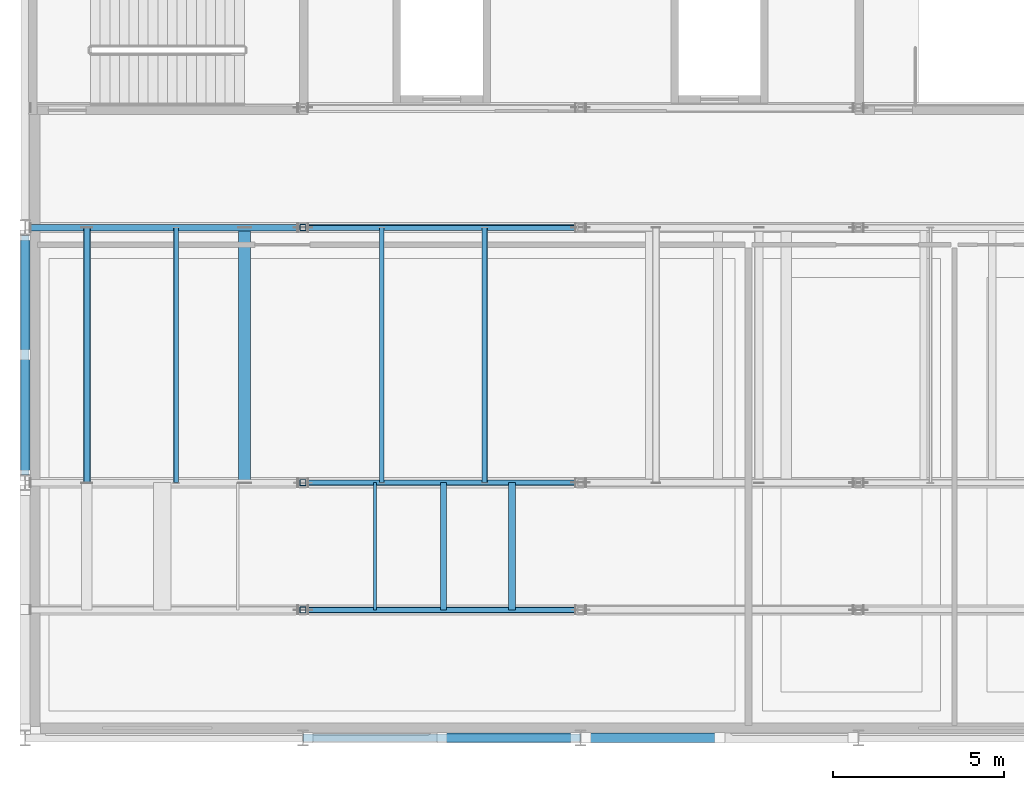
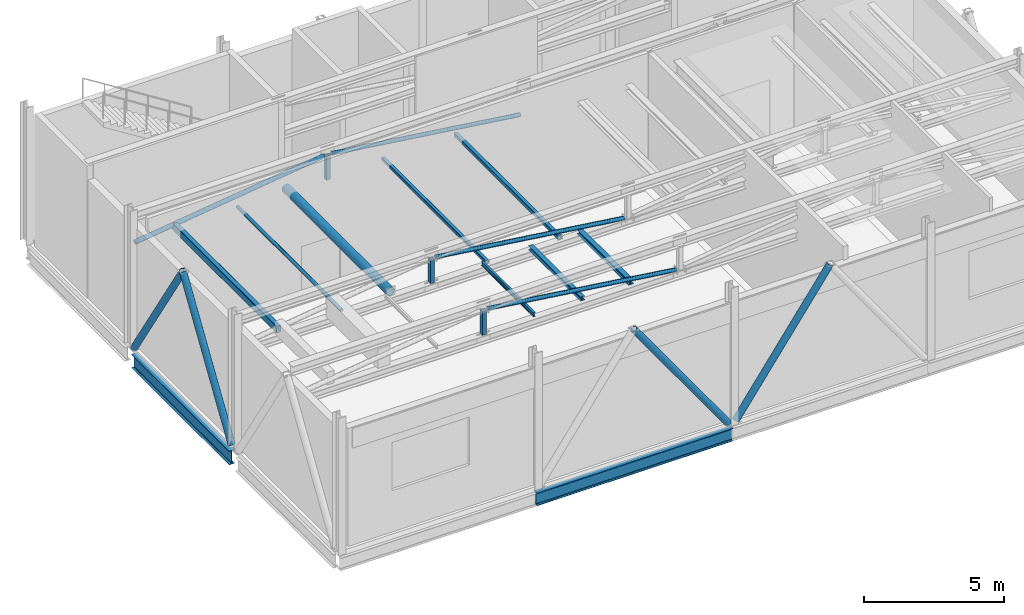
# One storey, part 2 of 21: 16 members, 5 beams.
"""IFC4 building model written with IfcOpenShell, lengths in metres."""

from ifc_helpers import new_model, si_unit, direction, frame, origin, origin_2d, place, context, subcontext, project, spatial, hollow_rectangle, hollow_circle, i_section, extrude, material, material_profile, profile_set, type_object, element, save


model = new_model("IFC4")

# Units and contexts
model_context = context("Model", 3, precision=1e-05, world=origin(), true_north=direction((0.0, 1.0)))
body_context = subcontext(model_context, "Body", "Model", "MODEL_VIEW")
ifc_project = project(units=[si_unit("LENGTHUNIT", "METRE"), si_unit("AREAUNIT", "SQUARE_METRE"), si_unit("VOLUMEUNIT", "CUBIC_METRE"), si_unit("PLANEANGLEUNIT", "RADIAN"), si_unit("MASSUNIT", "GRAM", prefix="KILO")], contexts=[model_context])

# Site, building, storey
site_placement = place(None, origin())
site = spatial("IfcSite", under=ifc_project, at=site_placement, CompositionType="ELEMENT")
building_placement = place(site_placement, origin())
building = spatial("IfcBuilding", under=site, at=building_placement, Name="Kaelora Sail Theatre", CompositionType="ELEMENT")
storey_placement = place(building_placement, frame((0.0, 0.0, 27.60009765625)))
storey = spatial("IfcBuildingStorey", under=building, at=storey_placement, Name="L06", CompositionType="ELEMENT", Elevation=27.60009765625)

# Beams
ifc_material_1 = material(Name="Steel S355", Category="steel")
ifc_material_profile_1 = material_profile(ifc_material_1, i_section(OverallWidth=0.179931640625, OverallDepth=0.1708984375, WebThickness=0.006103515625, FlangeThickness=0.009521484375, FilletRadius=0.014892578125, at=origin_2d()), Name="HEA 180")
ifc_profile_set_1 = profile_set([ifc_material_profile_1], Name="Steel S355")
beam_type_1 = type_object("IfcBeamType", Name="STR-BM-BM-HEA180", PredefinedType="BEAM", material=ifc_profile_set_1)
beam_1_placement = place(storey_placement, frame((38.0, 64.75, 4.515380859375), z_axis=(0.0, 1.0, 0.0), x_axis=(-1.0, 0.0, 0.0)))
element("IfcBeam", 1, at=beam_1_placement, inside=storey, type_object=beam_type_1, Name="Fly Tower rigging grid beam 05", PredefinedType="BEAM", context=body_context, shape_type="SweptSolid", body=[
    extrude(i_section(OverallWidth=0.179931640625, OverallDepth=0.1708984375, WebThickness=0.006103515625, FlangeThickness=0.009521484375, FilletRadius=0.014892578125, at=origin_2d()), origin(), (0.0, 0.0, 1.0), 3.7099609375),
])
ifc_material_2 = material(Name="Steel S355", Category="steel")
ifc_material_profile_2 = material_profile(ifc_material_2, i_section(OverallWidth=0.199951171875, OverallDepth=0.18994140625, WebThickness=0.006591796875, FlangeThickness=0.010009765625, FilletRadius=0.01806640625, at=origin_2d()), Name="HEA 200")
ifc_profile_set_2 = profile_set([ifc_material_profile_2], Name="Steel S355")
beam_type_2 = type_object("IfcBeamType", Name="STR-BM-BM-HEA200", PredefinedType="BEAM", material=ifc_profile_set_2)
beam_2_placement = place(storey_placement, frame((40.0, 64.75, 4.52490234375), z_axis=(0.0, 1.0, 0.0), x_axis=(-1.0, 0.0, 0.0)))
element("IfcBeam", 2, at=beam_2_placement, inside=storey, type_object=beam_type_2, Name="Fly Tower rigging grid beam 06", PredefinedType="BEAM", context=body_context, shape_type="SweptSolid", body=[
    extrude(i_section(OverallWidth=0.199951171875, OverallDepth=0.18994140625, WebThickness=0.006591796875, FlangeThickness=0.010009765625, FilletRadius=0.01806640625, at=origin_2d()), origin(), (0.0, 0.0, 1.0), 3.7099609375),
])
ifc_material_3 = material(Name="Steel S355", Category="steel")
ifc_material_profile_3 = material_profile(ifc_material_3, i_section(OverallWidth=0.2099609375, OverallDepth=0.550048828125, WebThickness=0.010986328125, FlangeThickness=0.01708984375, FilletRadius=0.02392578125, at=origin_2d()), Name="IPE 550")
ifc_profile_set_3 = profile_set([ifc_material_profile_3], Name="Steel S355")
beam_type_3 = type_object("IfcBeamType", Name="STR-BM-BM-IPE550", PredefinedType="USERDEFINED", material=ifc_profile_set_3)
beam_3_placement = place(storey_placement, frame((33.908935546875, 61.02001953125, -0.4951171875), z_axis=(1.0, 0.0, 0.0), x_axis=(0.0, 1.0, 0.0)))
element("IfcBeam", 3, at=beam_3_placement, inside=storey, type_object=beam_type_3, Name="Primary beam I 5-6 (L06)", ObjectType="GIRDER", PredefinedType="USERDEFINED", context=body_context, shape_type="SweptSolid", body=[
    extrude(i_section(OverallWidth=0.2099609375, OverallDepth=0.550048828125, WebThickness=0.010986328125, FlangeThickness=0.01708984375, FilletRadius=0.02392578125, at=origin_2d()), origin(), (0.0, 0.0, 1.0), 8.08203125),
])
ifc_material_4 = material(Name="Steel S355", Category="steel")
ifc_material_profile_4 = material_profile(ifc_material_4, i_section(OverallWidth=0.219970703125, OverallDepth=0.60009765625, WebThickness=0.011962890625, FlangeThickness=0.01904296875, FilletRadius=0.02392578125, at=origin_2d()), Name="IPE 600")
ifc_profile_set_4 = profile_set([ifc_material_profile_4], Name="Steel S355")
beam_type_4 = type_object("IfcBeamType", Name="STR-BM-BM-IPE600", PredefinedType="USERDEFINED", material=ifc_profile_set_4)
beam_4_placement = place(storey_placement, frame((25.800048828125, 68.68505859375, -0.52001953125), z_axis=(0.0, 1.0, 0.0), x_axis=(-1.0, 0.0, 0.0)))
element("IfcBeam", 4, at=beam_4_placement, inside=storey, type_object=beam_type_4, Name="Primary beam 4 J-K (L06)", ObjectType="GIRDER", PredefinedType="USERDEFINED", context=body_context, shape_type="SweptSolid", body=[
    extrude(i_section(OverallWidth=0.219970703125, OverallDepth=0.60009765625, WebThickness=0.011962890625, FlangeThickness=0.01904296875, FilletRadius=0.02392578125, at=origin_2d()), origin(), (0.0, 0.0, 1.0), 6.989990234375),
])
ifc_material_5 = material(Name="Steel S355", Category="steel")
ifc_material_profile_5 = material_profile(ifc_material_5, i_section(OverallWidth=0.091064453125, OverallDepth=0.179931640625, WebThickness=0.00537109375, FlangeThickness=0.008056640625, FilletRadius=0.009033203125, at=origin_2d()), Name="IPE 180")
ifc_profile_set_5 = profile_set([ifc_material_profile_5], Name="Steel S355")
beam_type_5 = type_object("IfcBeamType", Name="STR-BM-JS-IPE180", PredefinedType="JOIST", material=ifc_profile_set_5)
beam_5_placement = place(storey_placement, frame((36.0, 64.75, 4.52001953125), z_axis=(0.0, 1.0, 0.0), x_axis=(-1.0, 0.0, 0.0)))
element("IfcBeam", 5, at=beam_5_placement, inside=storey, type_object=beam_type_5, Name="Fly Tower rigging grid beam 04", PredefinedType="JOIST", context=body_context, shape_type="SweptSolid", body=[
    extrude(i_section(OverallWidth=0.091064453125, OverallDepth=0.179931640625, WebThickness=0.00537109375, FlangeThickness=0.008056640625, FilletRadius=0.009033203125, at=origin_2d()), origin(), (0.0, 0.0, 1.0), 3.7099609375),
])

# Members
ifc_material_6 = material(Name="Steel S355", Category="steel")
ifc_material_profile_6 = material_profile(ifc_material_6, hollow_circle(Radius=0.136474609375, WallThickness=0.012451171875, at=origin_2d()), Name="CHS 273.0x12.5")
ifc_profile_set_6 = profile_set([ifc_material_profile_6], Name="Steel S355")
member_type_1 = type_object("IfcMemberType", Name="STR-MEM-BR-CHS273", PredefinedType="BRACE", material=ifc_profile_set_6)
for number, where, z_axis, x_axis, name in (
    (6, (25.800048828125, 68.68994140625, 0.02001953125), (0.0, 0.539635242444, 0.841898928086), (-1.0, 0.0, 0.0), "Fly Tower chevron brace L06 WM1"),
    (7, (25.800048828125, 75.669921875, 0.02001953125), (0.0, -0.539635242444, 0.841898928086), (1.0, 0.0, 0.0), "Fly Tower chevron brace L06 WM2"),
):
    element("IfcMember", number, at=place(storey_placement, frame(where, z_axis=z_axis, x_axis=x_axis)), inside=storey, type_object=member_type_1, Name=name, PredefinedType="BRACE", context=body_context, shape_type="SweptSolid", body=[
        extrude(hollow_circle(Radius=0.136474609375, WallThickness=0.012451171875, at=origin_2d()), origin(), (0.0, 0.0, 1.0), 6.46728515625),
    ])
for number, where, z_axis, x_axis, name in (
    (8, (41.840087890625, 61.02001953125, 0.02001953125), (-0.581334822713, 0.0, 0.813664441832), (0.0, -1.0, 0.0), "Fly Tower south stage-house chevron brace L06 S2-2"),
    (9, (42.159912109375, 61.02001953125, 0.02001953125), (0.581334822713, 0.0, 0.813664441832), (0.0, 1.0, 0.0), "Fly Tower south stage-house chevron brace L06 S3-1"),
):
    element("IfcMember", number, at=place(storey_placement, frame(where, z_axis=z_axis, x_axis=x_axis)), inside=storey, type_object=member_type_1, Name=name, PredefinedType="BRACE", context=body_context, shape_type="SweptSolid", body=[
        extrude(hollow_circle(Radius=0.136474609375, WallThickness=0.012451171875, at=origin_2d()), origin(), (0.0, 0.0, 1.0), 6.691650390625),
    ])
ifc_material_7 = material(Name="Steel S355", Category="steel")
ifc_material_profile_7 = material_profile(ifc_material_7, hollow_circle(Radius=0.177734375, WallThickness=0.01611328125, at=origin_2d()), Name="CHS 355.6x16.0")
ifc_profile_set_7 = profile_set([ifc_material_profile_7], Name="Steel S355")
member_type_2 = type_object("IfcMemberType", Name="STR-MEM-BR-CHS355", PredefinedType="BRACE", material=ifc_profile_set_7)
member_1_placement = place(storey_placement, frame((32.199951171875, 68.4599609375, 4.607666015625), z_axis=(0.0, 1.0, 0.0), x_axis=(-1.0, 0.0, 0.0)))
element("IfcMember", 10, at=member_1_placement, inside=storey, type_object=member_type_2, Name="HTB-01 Fly Tower headblock tie brace 03", PredefinedType="BRACE", context=body_context, shape_type="SweptSolid", body=[
    extrude(hollow_circle(Radius=0.177734375, WallThickness=0.01611328125, at=origin_2d()), origin(), (0.0, 0.0, 1.0), 7.43994140625),
])
ifc_material_8 = material(Name="Steel S355", Category="steel")
ifc_material_profile_8 = material_profile(ifc_material_8, hollow_rectangle(XDim=0.199951171875, YDim=0.300048828125, WallThickness=0.012451171875, InnerFilletRadius=0.012451171875, OuterFilletRadius=0.02490234375, at=origin_2d()), Name="RHS 300x200x12.5")
ifc_profile_set_8 = profile_set([ifc_material_profile_8], Name="Steel S355")
member_type_3 = type_object("IfcMemberType", Name="STR-MEM-SG-RHS300", PredefinedType="STRINGER", material=ifc_profile_set_8)
member_2_placement = place(storey_placement, frame((27.60009765625, 68.4599609375, 4.579833984375), z_axis=(0.0, 1.0, 0.0), x_axis=(-1.0, 0.0, 0.0)))
element("IfcMember", 11, at=member_2_placement, inside=storey, type_object=member_type_3, Name="HTB-01 Fly Tower headblock tie brace 01", PredefinedType="STRINGER", context=body_context, shape_type="SweptSolid", body=[
    extrude(hollow_rectangle(XDim=0.199951171875, YDim=0.300048828125, WallThickness=0.012451171875, InnerFilletRadius=0.012451171875, OuterFilletRadius=0.02490234375, at=origin_2d()), origin(), (0.0, 0.0, 1.0), 7.43994140625),
])
ifc_material_9 = material(Name="Steel S355", Category="steel")
ifc_material_profile_9 = material_profile(ifc_material_9, hollow_circle(Radius=0.06982421875, WallThickness=0.00634765625, at=origin_2d()), Name="CHS 139.7x6.3")
ifc_profile_set_9 = profile_set([ifc_material_profile_9], Name="Steel S355")
member_type_4 = type_object("IfcMemberType", Name="STR-MEM-ST-CHS139", PredefinedType="STRUT", material=ifc_profile_set_9)
member_3_placement = place(storey_placement, frame((30.199951171875, 68.4599609375, 4.499755859375), z_axis=(0.0, 1.0, 0.0), x_axis=(-1.0, 0.0, 0.0)))
element("IfcMember", 12, at=member_3_placement, inside=storey, type_object=member_type_4, Name="HTB-01 Fly Tower headblock tie brace 02", PredefinedType="STRUT", context=body_context, shape_type="SweptSolid", body=[
    extrude(hollow_circle(Radius=0.06982421875, WallThickness=0.00634765625, at=origin_2d()), origin(), (0.0, 0.0, 1.0), 7.43994140625),
])
ifc_material_10 = material(Name="Steel S355", Category="steel")
ifc_material_profile_10 = material_profile(ifc_material_10, hollow_circle(Radius=0.084228515625, WallThickness=0.008056640625, at=origin_2d()), Name="CHS 168.3x8.0")
ifc_profile_set_10 = profile_set([ifc_material_profile_10], Name="Steel S355")
member_type_5 = type_object("IfcMemberType", Name="STR-MEM-ST-CHS168", PredefinedType="STRUT", material=ifc_profile_set_10)
for number, where, z_axis, x_axis, name in (
    (13, (34.06005859375, 64.75, 5.469970703125), (0.99118274936, 0.0, -0.132501914591), (0.0, 1.0, 0.0), "TDG-01 Fly Tower truss 1 web diagonal 2"),
    (14, (34.06005859375, 68.4599609375, 5.469970703125), (0.99118274936, 0.0, -0.132501914591), (0.0, 1.0, 0.0), "TDG-01 Fly Tower truss 2 web diagonal 2"),
    (15, (34.06005859375, 75.89990234375, 5.469970703125), (0.99118274936, 0.0, -0.132501914591), (0.0, 1.0, 0.0), "TDG-01 Fly Tower truss 3 web diagonal 2"),
):
    element("IfcMember", number, at=place(storey_placement, frame(where, z_axis=z_axis, x_axis=x_axis)), inside=storey, type_object=member_type_5, Name=name, PredefinedType="STRUT", context=body_context, shape_type="SweptSolid", body=[
        extrude(hollow_circle(Radius=0.084228515625, WallThickness=0.008056640625, at=origin_2d()), origin(), (0.0, 0.0, 1.0), 7.84912109375),
    ])
ifc_material_11 = material(Name="Steel S355", Category="steel")
ifc_material_profile_11 = material_profile(ifc_material_11, hollow_circle(Radius=0.096923828125, WallThickness=0.010009765625, at=origin_2d()), Name="CHS 193.7x10.0")
ifc_profile_set_11 = profile_set([ifc_material_profile_11], Name="Steel S355")
member_type_6 = type_object("IfcMemberType", Name="STR-MEM-ST-CHS193", PredefinedType="STRUT", material=ifc_profile_set_11)
member_4_placement = place(storey_placement, frame((25.9599609375, 75.89990234375, 4.429931640625), z_axis=(0.99118274936, 0.0, 0.132501914591), x_axis=(0.0, 1.0, 0.0)))
element("IfcMember", 16, at=member_4_placement, inside=storey, type_object=member_type_6, Name="TDG-01 Fly Tower truss 3 web diagonal 1", PredefinedType="STRUT", context=body_context, shape_type="SweptSolid", body=[
    extrude(hollow_circle(Radius=0.096923828125, WallThickness=0.010009765625, at=origin_2d()), origin(), (0.0, 0.0, 1.0), 7.84912109375),
])
ifc_material_12 = material(Name="Steel S355", Category="steel")
ifc_material_profile_12 = material_profile(ifc_material_12, hollow_rectangle(XDim=0.139892578125, YDim=0.139892578125, WallThickness=0.008056640625, InnerFilletRadius=0.008056640625, OuterFilletRadius=0.01611328125, at=origin_2d()), Name="SHS 140x140x8.0")
ifc_profile_set_12 = profile_set([ifc_material_profile_12], Name="Steel S355")
member_type_7 = type_object("IfcMemberType", Name="STR-MEM-ST-SHS140", PredefinedType="STRUT", material=ifc_profile_set_12)
member_5_placement = place(storey_placement, frame((36.199951171875, 68.4599609375, 4.5), z_axis=(0.0, 1.0, 0.0), x_axis=(-1.0, 0.0, 0.0)))
element("IfcMember", 17, at=member_5_placement, inside=storey, type_object=member_type_7, Name="HTB-01 Fly Tower headblock tie brace 04", PredefinedType="STRUT", context=body_context, shape_type="SweptSolid", body=[
    extrude(hollow_rectangle(XDim=0.139892578125, YDim=0.139892578125, WallThickness=0.008056640625, InnerFilletRadius=0.008056640625, OuterFilletRadius=0.01611328125, at=origin_2d()), origin(), (0.0, 0.0, 1.0), 7.43994140625),
])
ifc_material_13 = material(Name="Steel S355", Category="steel")
ifc_material_profile_13 = material_profile(ifc_material_13, hollow_rectangle(XDim=0.159912109375, YDim=0.159912109375, WallThickness=0.008056640625, InnerFilletRadius=0.008056640625, OuterFilletRadius=0.01611328125, at=origin_2d()), Name="SHS 160x160x8.0")
ifc_profile_set_13 = profile_set([ifc_material_profile_13], Name="Steel S355")
member_type_8 = type_object("IfcMemberType", Name="STR-MEM-ST-SHS160", PredefinedType="STRUT", material=ifc_profile_set_13)
member_6_placement = place(storey_placement, frame((39.199951171875, 68.4599609375, 4.510009765625), z_axis=(0.0, 1.0, 0.0), x_axis=(-1.0, 0.0, 0.0)))
element("IfcMember", 18, at=member_6_placement, inside=storey, type_object=member_type_8, Name="HTB-01 Fly Tower headblock tie brace 05", PredefinedType="STRUT", context=body_context, shape_type="SweptSolid", body=[
    extrude(hollow_rectangle(XDim=0.159912109375, YDim=0.159912109375, WallThickness=0.008056640625, InnerFilletRadius=0.008056640625, OuterFilletRadius=0.01611328125, at=origin_2d()), origin(), (0.0, 0.0, 1.0), 7.43994140625),
])
ifc_material_14 = material(Name="Steel S355", Category="steel")
ifc_material_profile_14 = material_profile(ifc_material_14, hollow_rectangle(XDim=0.179931640625, YDim=0.179931640625, WallThickness=0.010009765625, InnerFilletRadius=0.010009765625, OuterFilletRadius=0.02001953125, at=origin_2d()), Name="SHS 180x180x10.0")
ifc_profile_set_14 = profile_set([ifc_material_profile_14], Name="Steel S355")
member_type_9 = type_object("IfcMemberType", Name="STR-MEM-ST-SHS180", PredefinedType="STRUT", material=ifc_profile_set_14)
for number, where, z_axis, x_axis, name in (
    (19, (33.89990234375, 64.75, 4.429931640625), (0.0, 0.0, 1.0), (1.0, 0.0, 0.0), "TVT-01 Fly Tower truss 1 vertical strut 1"),
    (20, (33.89990234375, 68.4599609375, 4.429931640625), (0.0, 0.0, 1.0), (1.0, 0.0, 0.0), "TVT-01 Fly Tower truss 2 vertical strut 1"),
    (21, (33.89990234375, 75.89990234375, 4.429931640625), (0.0, 0.0, 1.0), (1.0, 0.0, 0.0), "TVT-01 Fly Tower truss 3 vertical strut 1"),
):
    element("IfcMember", number, at=place(storey_placement, frame(where, z_axis=z_axis, x_axis=x_axis)), inside=storey, type_object=member_type_9, Name=name, PredefinedType="STRUT", context=body_context, shape_type="SweptSolid", body=[
        extrude(hollow_rectangle(XDim=0.179931640625, YDim=0.179931640625, WallThickness=0.010009765625, InnerFilletRadius=0.010009765625, OuterFilletRadius=0.02001953125, at=origin_2d()), origin(), (0.0, 0.0, 1.0), 1.0400390625),
    ])

save(model, "model.ifc")
